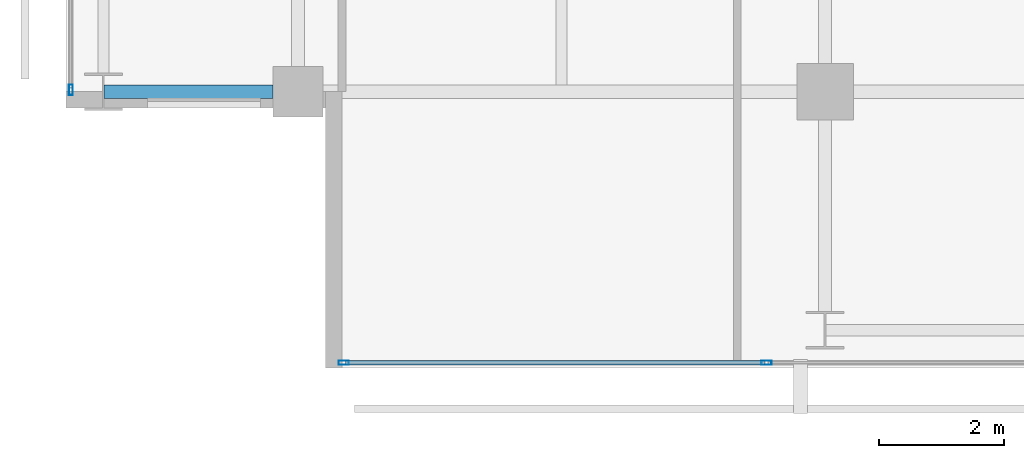
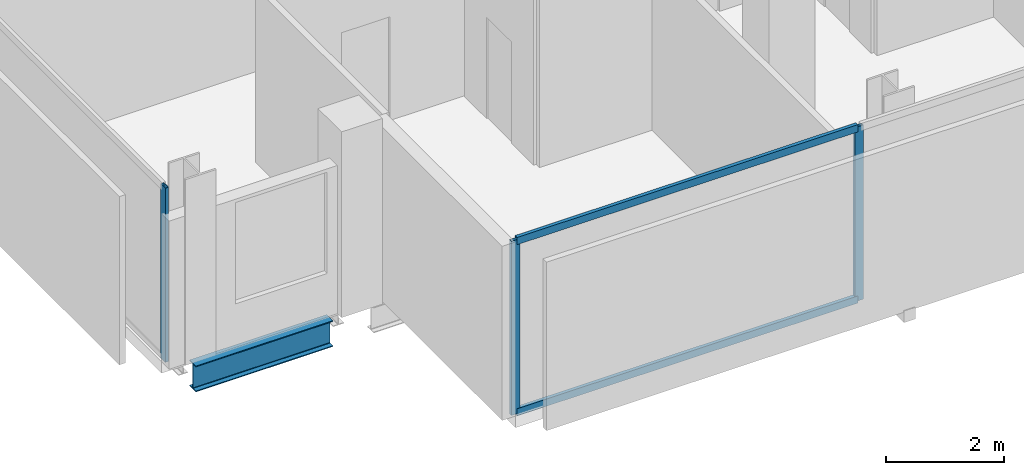
# One storey, part 2 of 33: 5 members, 1 beam, 2 elements without a shape of their own.
"""IFC4 building model written with IfcOpenShell, lengths in metres."""

from ifc_helpers import new_model, si_unit, direction, frame, origin, origin_2d, place, context, subcontext, project, spatial, hollow_rectangle, i_section, extrude, material, layer, layer_set, material_profile, profile_set, type_object, element, aggregate, save


model = new_model("IFC4")

# Units and contexts
model_context = context("Model", 3, precision=1e-05, world=origin(), true_north=direction((0.0, 1.0)))
body_context = subcontext(model_context, "Body", "Model", "MODEL_VIEW")
ifc_project = project(units=[si_unit("LENGTHUNIT", "METRE"), si_unit("AREAUNIT", "SQUARE_METRE"), si_unit("VOLUMEUNIT", "CUBIC_METRE"), si_unit("PLANEANGLEUNIT", "RADIAN"), si_unit("MASSUNIT", "GRAM", prefix="KILO")], contexts=[model_context])

# Site, building, storey
site_placement = place(None, origin())
site = spatial("IfcSite", under=ifc_project, at=site_placement, CompositionType="ELEMENT")
building_placement = place(site_placement, origin())
building = spatial("IfcBuilding", under=site, at=building_placement, Name="Maruvema Waterfront Hotel and Observation Tower", CompositionType="ELEMENT")
storey_placement = place(building_placement, frame((0.0, 0.0, 200.550048828125)))
storey = spatial("IfcBuildingStorey", under=building, at=storey_placement, Name="L49", CompositionType="ELEMENT", Elevation=200.550048828125)

# Curtain wall, members
ifc_material_1 = material(Name="Anodised bronze aluminium and solar-control low-E IGU", Category="aluminium")
ifc_layer = layer(ifc_material_1, 0.159912109375, Name="Zone 2 Amber Inner Thermal Curtain Wall System CW-03")
ifc_layer_set = layer_set([ifc_layer], Name="Anodised bronze aluminium and solar-control low-E IGU")
curtain_wall_type = type_object("IfcCurtainWallType", Name="Zone 2 Amber Inner Thermal Curtain Wall System CW-03", PredefinedType="USERDEFINED", material=ifc_layer_set)
curtain_wall_1_placement = place(storey_placement, origin())
curtain_wall_1 = element("IfcCurtainWall", 1, at=curtain_wall_1_placement, inside=storey, type_object=curtain_wall_type, Name="L49 Curtain Wall CW-L49-S", ObjectType="UNITISED CURTAIN WALL", PredefinedType="USERDEFINED")
ifc_material_2 = material(Name="Anodised architectural bronze aluminium", Category="aluminium")
ifc_material_profile_1 = material_profile(ifc_material_2, hollow_rectangle(XDim=0.070068359375, YDim=0.14990234375, WallThickness=0.00390625, at=origin_2d()), Name="ALU-T70x150")
ifc_profile_set_1 = profile_set([ifc_material_profile_1], Name="Anodised architectural bronze aluminium")
member_type_1 = type_object("IfcMemberType", Name="Curtain Wall Horizontal Transom ALU-T70x150", PredefinedType="USERDEFINED", material=ifc_profile_set_1)
member_1_placement = place(storey_placement, frame((17.56005859375, 4.679931640625, 0.030029296875), z_axis=(1.0, 0.0, 0.0), x_axis=(0.0, 1.0, 0.0)))
member_1 = element("IfcMember", 2, at=member_1_placement, type_object=member_type_1, Name="CW-03 transom 1.1", ObjectType="TRANSOM", PredefinedType="USERDEFINED", context=body_context, shape_type="SweptSolid", body=[
    extrude(hollow_rectangle(XDim=0.070068359375, YDim=0.14990234375, WallThickness=0.00390625, at=origin_2d()), origin(), (0.0, 0.0, 1.0), 6.676513671875),
])
member_2_placement = place(storey_placement, frame((17.56005859375, 4.679931640625, 3.579833984375), z_axis=(1.0, 0.0, 0.0), x_axis=(0.0, 1.0, 0.0)))
member_2 = element("IfcMember", 3, at=member_2_placement, type_object=member_type_1, Name="CW-03 transom 1.2", ObjectType="TRANSOM", PredefinedType="USERDEFINED", context=body_context, shape_type="SweptSolid", body=[
    extrude(hollow_rectangle(XDim=0.070068359375, YDim=0.14990234375, WallThickness=0.00390625, at=origin_2d()), origin(), (0.0, 0.0, 1.0), 6.676513671875),
])
ifc_material_3 = material(Name="Anodised architectural bronze aluminium", Category="aluminium")
ifc_material_profile_2 = material_profile(ifc_material_3, hollow_rectangle(XDim=0.06494140625, YDim=0.1650390625, WallThickness=0.00390625, at=origin_2d()), Name="ALU-M65x165")
ifc_profile_set_2 = profile_set([ifc_material_profile_2], Name="Anodised architectural bronze aluminium")
member_type_2 = type_object("IfcMemberType", Name="Curtain Wall Primary Mullion ALU-M65x165", PredefinedType="MULLION", material=ifc_profile_set_2)
member_3_placement = place(storey_placement, frame((17.530029296875, 4.679931640625, 0.0), z_axis=(0.0, 0.0, 1.0), x_axis=(0.0, 1.0, 0.0)))
member_3 = element("IfcMember", 4, at=member_3_placement, type_object=member_type_2, Name="CW-03 mullion 1", PredefinedType="MULLION", context=body_context, shape_type="SweptSolid", body=[
    extrude(hollow_rectangle(XDim=0.06494140625, YDim=0.1650390625, WallThickness=0.00390625, at=origin_2d()), origin(), (0.0, 0.0, 1.0), 3.60986328125),
])
member_4_placement = place(storey_placement, frame((24.2666015625, 4.679931640625, 0.0), z_axis=(0.0, 0.0, 1.0), x_axis=(0.0, 1.0, 0.0)))
member_4 = element("IfcMember", 5, at=member_4_placement, type_object=member_type_2, Name="CW-03 mullion 2", PredefinedType="MULLION", context=body_context, shape_type="SweptSolid", body=[
    extrude(hollow_rectangle(XDim=0.06494140625, YDim=0.1650390625, WallThickness=0.00390625, at=origin_2d()), origin(), (0.0, 0.0, 1.0), 3.60986328125),
])
aggregate(curtain_wall_1, [member_3, member_4, member_1, member_2])

# Curtain wall, member
curtain_wall_2_placement = place(storey_placement, origin())
curtain_wall_2 = element("IfcCurtainWall", 6, at=curtain_wall_2_placement, inside=storey, type_object=curtain_wall_type, Name="L49 Curtain Wall CW-L49-W", ObjectType="UNITISED CURTAIN WALL", PredefinedType="USERDEFINED")
member_5_placement = place(storey_placement, frame((13.179931640625, 9.030029296875, 0.0), z_axis=(0.0, 0.0, 1.0), x_axis=(1.0, 0.0, 0.0)))
member_5 = element("IfcMember", 7, at=member_5_placement, type_object=member_type_2, Name="CW-03 mullion 7", PredefinedType="MULLION", context=body_context, shape_type="SweptSolid", body=[
    extrude(hollow_rectangle(XDim=0.06494140625, YDim=0.1650390625, WallThickness=0.00390625, at=origin_2d()), origin(), (0.0, 0.0, 1.0), 3.60986328125),
])
aggregate(curtain_wall_2, [member_5])

# Beam
ifc_material_4 = material(Name="Steel ASTM A572 Grade 50", Category="steel")
ifc_material_profile_3 = material_profile(ifc_material_4, i_section(OverallWidth=0.2109375, OverallDepth=0.5390625, WebThickness=0.01171875, FlangeThickness=0.018798828125, FilletRadius=0.014892578125, at=origin_2d()), Name="W530x109.0")
ifc_profile_set_3 = profile_set([ifc_material_profile_3], Name="Steel ASTM A572 Grade 50")
beam_type = type_object("IfcBeamType", Name="Primary Floor Girder W530x109.0", PredefinedType="BEAM", material=ifc_profile_set_3)
beam_placement = place(storey_placement, frame((13.71240234375, 9.0, -0.509521484375), z_axis=(1.0, 0.0, 0.0), x_axis=(0.0, 1.0, 0.0)))
element("IfcBeam", 8, at=beam_placement, inside=storey, type_object=beam_type, Name="L49 Floor Girder EW-04", PredefinedType="BEAM", context=body_context, shape_type="SweptSolid", body=[
    extrude(i_section(OverallWidth=0.2109375, OverallDepth=0.5390625, WebThickness=0.01171875, FlangeThickness=0.018798828125, FilletRadius=0.014892578125, at=origin_2d()), origin(), (0.0, 0.0, 1.0), 2.6875),
])

save(model, "model.ifc")
